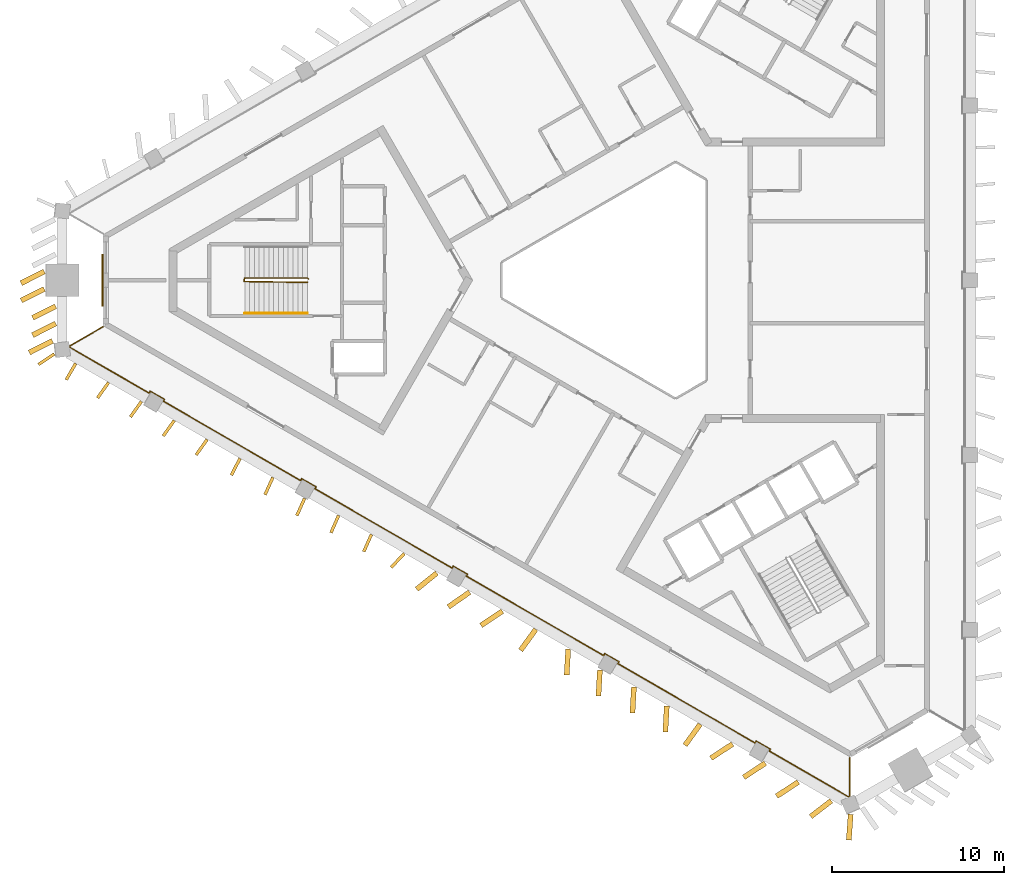
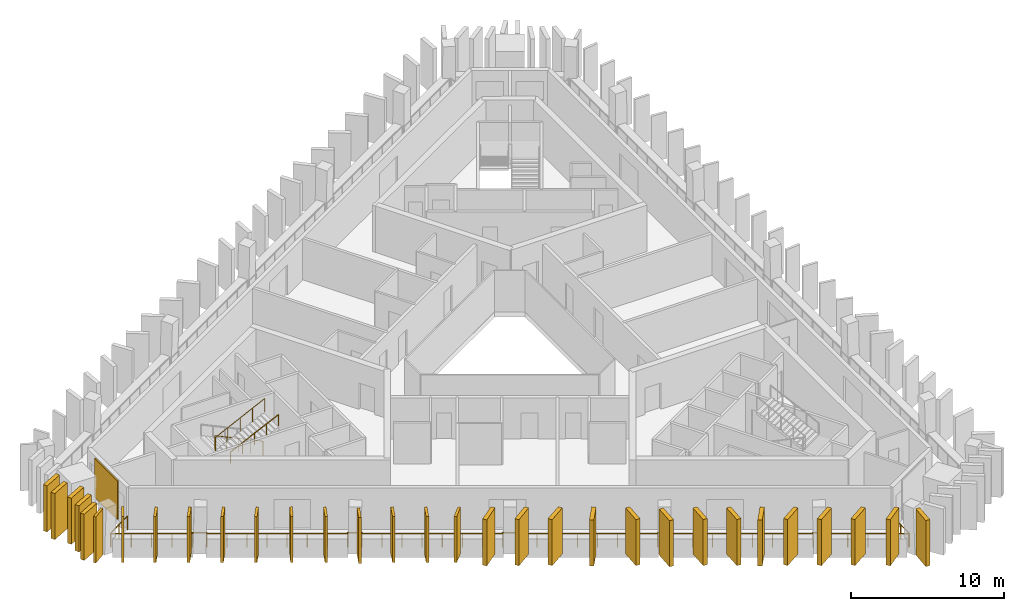
# One storey, part 7 of 9: 31 shading devices, 3 railings, 1 covering.
"""IFC4 building model written with IfcOpenShell, lengths in metres."""

import ifcopenshell
import ifcopenshell.guid

model = None  # the IFC model being written
_history = None  # IfcOwnerHistory: only IFC2X3 demands one
_inside = {}  # id of a spatial element -> (the spatial element, [elements in it])
_under = {}  # id of a project, library or spatial element -> (it, [spatial elements below it])
_declared = {}  # id of a project -> (the project, [libraries it declares])
_typed = {}  # id of a type object -> (the type object, [elements of that type])
_made_of = {}  # id of a material, layer set ... -> (it, [elements and type objects made of it])


def new_model(schema):
    """Start an empty IFC model of exactly this schema.

    Asked for "IFC4X3", IfcOpenShell would pick the latest addendum, in which some entities
    have other attributes; the version numbers below select the first issue.
    IFC2X3 requires an IfcOwnerHistory on every rooted entity: one is made here for all.
    """
    global model, _history
    if schema == "IFC4X3":
        model = ifcopenshell.file(schema_version=(4, 3, 0, 0))
    else:
        model = ifcopenshell.file(schema=schema)
    _inside.clear()
    _under.clear()
    _declared.clear()
    _typed.clear()
    _made_of.clear()
    _history = None
    if model.schema == "IFC2X3":
        org = make("IfcOrganization", Name="unknown")
        user = make(
            "IfcPersonAndOrganization",
            ThePerson=make("IfcPerson", FamilyName="unknown"),
            TheOrganization=org,
        )
        app = make(
            "IfcApplication",
            ApplicationDeveloper=org,
            Version="unknown",
            ApplicationFullName="unknown",
            ApplicationIdentifier="unknown",
        )
        _history = make(
            "IfcOwnerHistory",
            OwningUser=user,
            OwningApplication=app,
            ChangeAction="ADDED",
            CreationDate=0,
        )
    return model


def make(cls, **values):
    """One entity of the class cls with the attributes given. An attribute that is None is left unset."""
    return model.create_entity(
        cls, **{name: value for name, value in values.items() if value is not None}
    )


def rooted(cls, **values):
    """An entity with a GlobalId (a new one), such as an element, a storey or a relation."""
    return make(cls, GlobalId=ifcopenshell.guid.new(), OwnerHistory=_history, **values)


def si_unit(unit_type, name, prefix=None):
    """IfcSIUnit, for example si_unit("LENGTHUNIT", "METRE", prefix="MILLI")."""
    return make("IfcSIUnit", UnitType=unit_type, Prefix=prefix, Name=name)


def assignment(units):
    """IfcUnitAssignment: the units of a project."""
    return None if units is None else make("IfcUnitAssignment", Units=units)


def point(xyz):
    """IfcCartesianPoint."""
    return None if xyz is None else make("IfcCartesianPoint", Coordinates=xyz)


def direction(xyz):
    """IfcDirection."""
    return None if xyz is None else make("IfcDirection", DirectionRatios=xyz)


def frame(location, z_axis=None, x_axis=None):
    """IfcAxis2Placement3D, a coordinate frame: its origin and axes. An axis left out is left unset."""
    return make(
        "IfcAxis2Placement3D",
        Location=point(location),
        Axis=direction(z_axis),
        RefDirection=direction(x_axis),
    )


def frame_2d(location, x_axis=None):
    """IfcAxis2Placement2D, a coordinate frame in the plane: its origin and x axis."""
    return make(
        "IfcAxis2Placement2D", Location=point(location), RefDirection=direction(x_axis)
    )


def origin():
    """The frame at (0, 0, 0) with its axes left unset."""
    return frame((0.0, 0.0, 0.0))


def origin_2d():
    """The frame at (0, 0) in the plane with its x axis left unset."""
    return frame_2d((0.0, 0.0))


def place(relative_to, where):
    """IfcLocalPlacement: puts the frame where relative to a parent placement (None: the world)."""
    return make(
        "IfcLocalPlacement", PlacementRelTo=relative_to, RelativePlacement=where
    )


def context(
    kind, dimensions, precision=None, world=None, true_north=None, identifier=None
):
    """IfcGeometricRepresentationContext, for example the 3D "Model" context."""
    return make(
        "IfcGeometricRepresentationContext",
        ContextIdentifier=identifier,
        ContextType=kind,
        CoordinateSpaceDimension=dimensions,
        Precision=precision,
        WorldCoordinateSystem=world,
        TrueNorth=true_north,
    )


def subcontext(parent, identifier, kind, view, scale=None):
    """IfcGeometricRepresentationSubContext, for example "Body" below "Model"."""
    return make(
        "IfcGeometricRepresentationSubContext",
        ContextIdentifier=identifier,
        ContextType=kind,
        ParentContext=parent,
        TargetScale=scale,
        TargetView=view,
    )


def project(units=None, contexts=None):
    """IfcProject with its units and contexts."""
    return rooted(
        "IfcProject",
        Name="project",
        RepresentationContexts=contexts,
        UnitsInContext=assignment(units),
    )


def spatial(cls, under=None, at=None, **own):
    """A site, building, storey or space (cls), placed at a placement, below another one or the project."""
    s = rooted(cls, ObjectPlacement=at, **own)
    if under is not None:
        _under.setdefault(under.id(), (under, []))[1].append(s)
    return s


def profile(cls, at=None, kind="AREA", **sizes):
    """A parametric profile (cls). Its sizes go by their IFC names, for example OverallWidth=200.0."""
    return make(cls, ProfileType=kind, Position=at, **sizes)


def rectangle(**sizes):
    """IfcRectangleProfileDef."""
    return profile("IfcRectangleProfileDef", **sizes)


def circle(**sizes):
    """IfcCircleProfileDef."""
    return profile("IfcCircleProfileDef", **sizes)


def extrude(swept, where, along, depth):
    """IfcExtrudedAreaSolid: the profile swept, set in the frame where, extruded along a direction by depth."""
    return make(
        "IfcExtrudedAreaSolid",
        SweptArea=swept,
        Position=where,
        ExtrudedDirection=direction(along),
        Depth=depth,
    )


def shape(context_of_items, identifier, shape_type, items):
    """IfcShapeRepresentation: the items that make up one representation, for example the "Body"."""
    return make(
        "IfcShapeRepresentation",
        ContextOfItems=context_of_items,
        RepresentationIdentifier=identifier,
        RepresentationType=shape_type,
        Items=items,
    )


def material(Name=None, Category=None):
    """IfcMaterial."""
    return make("IfcMaterial", Name=Name, Category=Category)


def layer(
    of_material, thickness, ventilated=None, Name=None, Category=None, Priority=None
):
    """IfcMaterialLayer: one layer of a wall or slab, of a material (None: an air gap)."""
    return make(
        "IfcMaterialLayer",
        Material=of_material,
        LayerThickness=thickness,
        IsVentilated=ventilated,
        Name=Name,
        Category=Category,
        Priority=Priority,
    )


def layer_set(layers, Name=None):
    """IfcMaterialLayerSet."""
    return make("IfcMaterialLayerSet", MaterialLayers=layers, LayerSetName=Name)


def made_of(thing, what):
    """Note that an element or type object is made of a material, layer set ...; save() writes the relation."""
    if what is not None:
        _made_of.setdefault(what.id(), (what, []))[1].append(thing)
    return thing


def type_object(cls, material=None, **own):
    """A type object (cls), such as IfcWallType, which elements share."""
    return made_of(rooted(cls, **own), material)


def element(
    cls,
    number,
    at=None,
    inside=None,
    cuts=None,
    type_object=None,
    material=None,
    context=None,
    identifier="Body",
    shape_type=None,
    held_by="IfcProductDefinitionShape",
    body=None,
    shapes=None,
    **own,
):
    """One element of the class cls, such as IfcWall. Its Tag is "e" and its number.

    at: its placement. inside: the storey or other place that contains it. cuts: it is an
    opening in that element (IfcRelVoidsElement). A single representation is given by context,
    identifier, shape_type and body (its items); several are given by shapes. held_by: the class
    of the entity that holds the representations. save() writes the other relations.
    """
    e = rooted(cls, Tag="e%d" % number, ObjectPlacement=at, **own)
    if body is not None:
        shapes = [shape(context, identifier, shape_type, body)]
    if shapes is not None:
        e.Representation = make(held_by, Representations=shapes)
    if inside is not None:
        _inside.setdefault(inside.id(), (inside, []))[1].append(e)
    if cuts is not None:
        rooted(
            "IfcRelVoidsElement", RelatingBuildingElement=cuts, RelatedOpeningElement=e
        )
    if type_object is not None:
        _typed.setdefault(type_object.id(), (type_object, []))[1].append(e)
    return made_of(e, material)


def aggregate(whole, parts):
    """IfcRelAggregates: a whole, such as a stair, and the parts it consists of."""
    return rooted("IfcRelAggregates", RelatingObject=whole, RelatedObjects=parts)


def save(model, path):
    """Write the relations noted so far, then the file.

    IfcRelAggregates (storeys below a building ...), IfcRelContainedInSpatialStructure (elements
    in a storey), IfcRelDefinesByType, IfcRelAssociatesMaterial and IfcRelDeclares: one each for
    every whole, place, type object, material and project.
    """
    for whole, parts in _under.values():
        aggregate(whole, parts)
    for where, things in _inside.values():
        rooted(
            "IfcRelContainedInSpatialStructure",
            RelatedElements=things,
            RelatingStructure=where,
        )
    for kind, things in _typed.values():
        rooted("IfcRelDefinesByType", RelatedObjects=things, RelatingType=kind)
    for what, things in _made_of.values():
        rooted("IfcRelAssociatesMaterial", RelatedObjects=things, RelatingMaterial=what)
    for by, libraries in _declared.values():
        rooted("IfcRelDeclares", RelatingContext=by, RelatedDefinitions=libraries)
    model.write(path)


model = new_model("IFC4")

# Units and contexts
model_context = context("Model", 3, precision=1e-05, world=origin(), true_north=direction((0.0, 1.0)))
body_context = subcontext(model_context, "Body", "Model", "MODEL_VIEW")
ifc_project = project(units=[si_unit("LENGTHUNIT", "METRE"), si_unit("AREAUNIT", "SQUARE_METRE"), si_unit("VOLUMEUNIT", "CUBIC_METRE"), si_unit("PLANEANGLEUNIT", "RADIAN"), si_unit("MASSUNIT", "GRAM", prefix="KILO")], contexts=[model_context])

# Site, building, storey
site_placement = place(None, origin())
site = spatial("IfcSite", under=ifc_project, at=site_placement, CompositionType="ELEMENT")
building_placement = place(site_placement, origin())
building = spatial("IfcBuilding", under=site, at=building_placement, Name="Jabali Bay Hotel Tower and Convention Centre", CompositionType="ELEMENT")
storey_placement = place(building_placement, frame((0.0, 0.0, 235.39990234375)))
storey = spatial("IfcBuildingStorey", under=building, at=storey_placement, Name="L58", CompositionType="ELEMENT", Elevation=235.39990234375)

# Railing
ifc_material_1 = material(Name="Glass", Category="glass")
railing_type_1 = type_object("IfcRailingType", Name="Loggia glass guard 1100", PredefinedType="BALUSTRADE", material=ifc_material_1)
railing_1_placement = place(storey_placement, frame((87.882080078125, 52.2939453125, 0.0)))
element("IfcRailing", 1, at=railing_1_placement, inside=storey, type_object=railing_type_1, Name="Loggia glass guard L58", PredefinedType="BALUSTRADE", context=body_context, shape_type="SweptSolid", body=[
    extrude(circle(Radius=0.02490234375, at=origin_2d()), frame((0.0, 0.0, 1.0751953125), z_axis=(0.0, -1.0, 0.0), x_axis=(0.991444861374, 0.0, 0.13052619222)), (0.0, 0.0, 1.0), 2.247802734375),
    extrude(circle(Radius=0.02490234375, at=origin_2d()), frame((0.0, -2.247802734375, 1.0751953125), z_axis=(-0.921017487124, -0.389521229732, 0.0), x_axis=(0.386188821614, -0.913138054844, 0.13052619222)), (0.0, 0.0, 1.0), 0.067138671875),
    extrude(circle(Radius=0.02490234375, at=origin_2d()), frame((-0.061767578125, -2.27392578125, 1.0751953125), z_axis=(-0.866011294529, 0.500024437152, 0.0), x_axis=(-0.495746658775, -0.858602447852, 0.13052619222)), (0.0, 0.0, 1.0), 5.318603515625),
    extrude(circle(Radius=0.02490234375, at=origin_2d()), frame((-4.667724609375, 0.385498046875, 1.0751953125), z_axis=(0.500342721131, 0.865827443207, 0.0), x_axis=(-0.858420169404, 0.496062219791, 0.13052619222)), (0.0, 0.0, 1.0), 0.125),
    extrude(circle(Radius=0.02490234375, at=origin_2d()), frame((-4.605224609375, 0.49365234375, 1.0751953125), z_axis=(-0.865988727248, 0.500063520245, 0.0), x_axis=(-0.495785407507, -0.858580073638, 0.13052619222)), (0.0, 0.0, 1.0), 0.9501953125),
    extrude(circle(Radius=0.02490234375, at=origin_2d()), frame((-5.427978515625, 0.96875, 1.0751953125), z_axis=(-0.499497219344, -0.8663154898, 0.0), x_axis=(0.858904040691, -0.495223951389, 0.13052619222)), (0.0, 0.0, 1.0), 0.125244140625),
    extrude(circle(Radius=0.02490234375, at=origin_2d()), frame((-5.490478515625, 0.8603515625, 1.0751953125), z_axis=(-0.866021626938, 0.500006541634, 0.0), x_axis=(-0.495728916356, -0.858612691866, 0.13052619222)), (0.0, 0.0, 1.0), 9.19970703125),
    extrude(circle(Radius=0.02490234375, at=origin_2d()), frame((-13.45751953125, 5.460205078125, 1.0751953125), z_axis=(0.499497219344, 0.8663154898, 0.0), x_axis=(-0.858904040691, 0.495223951389, 0.13052619222)), (0.0, 0.0, 1.0), 0.125244140625),
    extrude(circle(Radius=0.02490234375, at=origin_2d()), frame((-13.39501953125, 5.568603515625, 1.0751953125), z_axis=(-0.866100000774, 0.49987077196, 0.0), x_axis=(-0.495594308211, -0.858690395203, 0.13052619222)), (0.0, 0.0, 1.0), 0.949951171875),
    extrude(circle(Radius=0.02490234375, at=origin_2d()), frame((-14.2177734375, 6.04345703125, 1.0751953125), z_axis=(-0.500342721131, -0.865827443207, 0.0), x_axis=(0.858420169404, -0.496062219791, 0.13052619222)), (0.0, 0.0, 1.0), 0.125),
    extrude(circle(Radius=0.02490234375, at=origin_2d()), frame((-14.2802734375, 5.935302734375, 1.0751953125), z_axis=(-0.866033118346, 0.499986637749, 0.0), x_axis=(-0.495709182751, -0.858624084964, 0.13052619222)), (0.0, 0.0, 1.0), 9.199462890625),
    extrude(circle(Radius=0.02490234375, at=origin_2d()), frame((-22.247314453125, 10.534912109375, 1.0751953125), z_axis=(0.499497219344, 0.8663154898, 0.0), x_axis=(-0.858904040691, 0.495223951389, 0.13052619222)), (0.0, 0.0, 1.0), 0.125244140625),
    extrude(circle(Radius=0.02490234375, at=origin_2d()), frame((-22.184814453125, 10.643310546875, 1.0751953125), z_axis=(-0.866100000774, 0.49987077196, 0.0), x_axis=(-0.495594308211, -0.858690395203, 0.13052619222)), (0.0, 0.0, 1.0), 0.949951171875),
    extrude(circle(Radius=0.02490234375, at=origin_2d()), frame((-23.007568359375, 11.1181640625, 1.0751953125), z_axis=(-0.500342721131, -0.865827443207, 0.0), x_axis=(0.858420169404, -0.496062219791, 0.13052619222)), (0.0, 0.0, 1.0), 0.125),
    extrude(circle(Radius=0.02490234375, at=origin_2d()), frame((-23.070068359375, 11.010009765625, 1.0751953125), z_axis=(-0.866021626938, 0.500006541634, 0.0), x_axis=(-0.495728916356, -0.858612691866, 0.13052619222)), (0.0, 0.0, 1.0), 9.19970703125),
    extrude(circle(Radius=0.02490234375, at=origin_2d()), frame((-31.037109375, 15.60986328125, 1.0751953125), z_axis=(0.500342721131, 0.865827443207, 0.0), x_axis=(-0.858420169404, 0.496062219791, 0.13052619222)), (0.0, 0.0, 1.0), 0.125),
    extrude(circle(Radius=0.02490234375, at=origin_2d()), frame((-30.974609375, 15.718017578125, 1.0751953125), z_axis=(-0.865988727248, 0.500063520245, 0.0), x_axis=(-0.495785407507, -0.858580073638, 0.13052619222)), (0.0, 0.0, 1.0), 0.9501953125),
    extrude(circle(Radius=0.02490234375, at=origin_2d()), frame((-31.79736328125, 16.193115234375, 1.0751953125), z_axis=(-0.499497219344, -0.8663154898, 0.0), x_axis=(0.858904040691, -0.495223951389, 0.13052619222)), (0.0, 0.0, 1.0), 0.125244140625),
    extrude(circle(Radius=0.02490234375, at=origin_2d()), frame((-31.85986328125, 16.084716796875, 1.0751953125), z_axis=(-0.866021626938, 0.500006541634, 0.0), x_axis=(-0.495728916356, -0.858612691866, 0.13052619222)), (0.0, 0.0, 1.0), 9.19970703125),
    extrude(circle(Radius=0.02490234375, at=origin_2d()), frame((-39.826904296875, 20.6845703125, 1.0751953125), z_axis=(0.500342721131, 0.865827443207, 0.0), x_axis=(-0.858420169404, 0.496062219791, 0.13052619222)), (0.0, 0.0, 1.0), 0.125),
    extrude(circle(Radius=0.02490234375, at=origin_2d()), frame((-39.764404296875, 20.792724609375, 1.0751953125), z_axis=(-0.865924446982, 0.500174821557, 0.0), x_axis=(-0.495895756621, -0.858516343298, 0.13052619222)), (0.0, 0.0, 1.0), 0.949951171875),
    extrude(circle(Radius=0.02490234375, at=origin_2d()), frame((-40.5869140625, 21.267822265625, 1.0751953125), z_axis=(-0.499497219344, -0.8663154898, 0.0), x_axis=(0.858904040691, -0.495223951389, 0.13052619222)), (0.0, 0.0, 1.0), 0.125244140625),
    extrude(circle(Radius=0.02490234375, at=origin_2d()), frame((-40.6494140625, 21.159423828125, 1.0751953125), z_axis=(-0.866022770786, 0.500004560459, 0.0), x_axis=(-0.49572695213, -0.858613825929, 0.13052619222)), (0.0, 0.0, 1.0), 5.31884765625),
    extrude(circle(Radius=0.02490234375, at=origin_2d()), frame((-45.255615234375, 23.81884765625, 1.0751953125), z_axis=(-0.123587346971, 0.992333697739, 0.0), x_axis=(-0.983844145392, -0.122530040085, 0.13052619222)), (0.0, 0.0, 1.0), 0.067138671875),
    extrude(circle(Radius=0.02490234375, at=origin_2d()), frame((-45.263916015625, 23.885498046875, 1.0751953125), z_axis=(0.86603545466, 0.499982590969, 0.0), x_axis=(-0.495705170593, 0.85862640129, 0.13052619222)), (0.0, 0.0, 1.0), 2.24755859375),
    extrude(circle(Radius=0.02001953125, at=origin_2d()), origin(), (0.0, 0.0, 1.0), 1.050048828125),
    extrude(circle(Radius=0.02001953125, at=origin_2d()), frame((0.0, -1.1240234375, 0.0)), (0.0, 0.0, 1.0), 1.050048828125),
    extrude(circle(Radius=0.02001953125, at=origin_2d()), frame((0.0, -2.247802734375, 0.0)), (0.0, 0.0, 1.0), 1.050048828125),
    extrude(circle(Radius=0.02001953125, at=origin_2d()), frame((-0.061767578125, -2.27392578125, 0.0)), (0.0, 0.0, 1.0), 1.050048828125),
    extrude(circle(Radius=0.02001953125, at=origin_2d()), frame((-1.21337890625, -1.609130859375, 0.0)), (0.0, 0.0, 1.0), 1.050048828125),
    extrude(circle(Radius=0.02001953125, at=origin_2d()), frame((-2.36474609375, -0.9443359375, 0.0)), (0.0, 0.0, 1.0), 1.050048828125),
    extrude(circle(Radius=0.02001953125, at=origin_2d()), frame((-3.51611328125, -0.279296875, 0.0)), (0.0, 0.0, 1.0), 1.050048828125),
    extrude(circle(Radius=0.02001953125, at=origin_2d()), frame((-4.667724609375, 0.385498046875, 0.0)), (0.0, 0.0, 1.0), 1.050048828125),
    extrude(circle(Radius=0.02001953125, at=origin_2d()), frame((-4.605224609375, 0.49365234375, 0.0)), (0.0, 0.0, 1.0), 1.050048828125),
    extrude(circle(Radius=0.02001953125, at=origin_2d()), frame((-5.427978515625, 0.96875, 0.0)), (0.0, 0.0, 1.0), 1.050048828125),
    extrude(circle(Radius=0.02001953125, at=origin_2d()), frame((-5.490478515625, 0.8603515625, 0.0)), (0.0, 0.0, 1.0), 1.050048828125),
    extrude(circle(Radius=0.02001953125, at=origin_2d()), frame((-6.628662109375, 1.517578125, 0.0)), (0.0, 0.0, 1.0), 1.050048828125),
    extrude(circle(Radius=0.02001953125, at=origin_2d()), frame((-7.766845703125, 2.174560546875, 0.0)), (0.0, 0.0, 1.0), 1.050048828125),
    extrude(circle(Radius=0.02001953125, at=origin_2d()), frame((-8.905029296875, 2.831787109375, 0.0)), (0.0, 0.0, 1.0), 1.050048828125),
    extrude(circle(Radius=0.02001953125, at=origin_2d()), frame((-10.04296875, 3.48876953125, 0.0)), (0.0, 0.0, 1.0), 1.050048828125),
    extrude(circle(Radius=0.02001953125, at=origin_2d()), frame((-11.18115234375, 4.14599609375, 0.0)), (0.0, 0.0, 1.0), 1.050048828125),
    extrude(circle(Radius=0.02001953125, at=origin_2d()), frame((-12.3193359375, 4.802978515625, 0.0)), (0.0, 0.0, 1.0), 1.050048828125),
    extrude(circle(Radius=0.02001953125, at=origin_2d()), frame((-13.45751953125, 5.460205078125, 0.0)), (0.0, 0.0, 1.0), 1.050048828125),
    extrude(circle(Radius=0.02001953125, at=origin_2d()), frame((-13.39501953125, 5.568603515625, 0.0)), (0.0, 0.0, 1.0), 1.050048828125),
    extrude(circle(Radius=0.02001953125, at=origin_2d()), frame((-14.2177734375, 6.04345703125, 0.0)), (0.0, 0.0, 1.0), 1.050048828125),
    extrude(circle(Radius=0.02001953125, at=origin_2d()), frame((-14.2802734375, 5.935302734375, 0.0)), (0.0, 0.0, 1.0), 1.050048828125),
    extrude(circle(Radius=0.02001953125, at=origin_2d()), frame((-15.41845703125, 6.59228515625, 0.0)), (0.0, 0.0, 1.0), 1.050048828125),
    extrude(circle(Radius=0.02001953125, at=origin_2d()), frame((-16.556640625, 7.24951171875, 0.0)), (0.0, 0.0, 1.0), 1.050048828125),
    extrude(circle(Radius=0.02001953125, at=origin_2d()), frame((-17.69482421875, 7.906494140625, 0.0)), (0.0, 0.0, 1.0), 1.050048828125),
    extrude(circle(Radius=0.02001953125, at=origin_2d()), frame((-18.832763671875, 8.563720703125, 0.0)), (0.0, 0.0, 1.0), 1.050048828125),
    extrude(circle(Radius=0.02001953125, at=origin_2d()), frame((-19.970947265625, 9.220703125, 0.0)), (0.0, 0.0, 1.0), 1.050048828125),
    extrude(circle(Radius=0.02001953125, at=origin_2d()), frame((-21.109130859375, 9.8779296875, 0.0)), (0.0, 0.0, 1.0), 1.050048828125),
    extrude(circle(Radius=0.02001953125, at=origin_2d()), frame((-22.247314453125, 10.534912109375, 0.0)), (0.0, 0.0, 1.0), 1.050048828125),
    extrude(circle(Radius=0.02001953125, at=origin_2d()), frame((-22.184814453125, 10.643310546875, 0.0)), (0.0, 0.0, 1.0), 1.050048828125),
    extrude(circle(Radius=0.02001953125, at=origin_2d()), frame((-23.007568359375, 11.1181640625, 0.0)), (0.0, 0.0, 1.0), 1.050048828125),
    extrude(circle(Radius=0.02001953125, at=origin_2d()), frame((-23.070068359375, 11.010009765625, 0.0)), (0.0, 0.0, 1.0), 1.050048828125),
    extrude(circle(Radius=0.02001953125, at=origin_2d()), frame((-24.208251953125, 11.667236328125, 0.0)), (0.0, 0.0, 1.0), 1.050048828125),
    extrude(circle(Radius=0.02001953125, at=origin_2d()), frame((-25.346435546875, 12.32421875, 0.0)), (0.0, 0.0, 1.0), 1.050048828125),
    extrude(circle(Radius=0.02001953125, at=origin_2d()), frame((-26.484619140625, 12.9814453125, 0.0)), (0.0, 0.0, 1.0), 1.050048828125),
    extrude(circle(Radius=0.02001953125, at=origin_2d()), frame((-27.62255859375, 13.638427734375, 0.0)), (0.0, 0.0, 1.0), 1.050048828125),
    extrude(circle(Radius=0.02001953125, at=origin_2d()), frame((-28.7607421875, 14.295654296875, 0.0)), (0.0, 0.0, 1.0), 1.050048828125),
    extrude(circle(Radius=0.02001953125, at=origin_2d()), frame((-29.89892578125, 14.95263671875, 0.0)), (0.0, 0.0, 1.0), 1.050048828125),
    extrude(circle(Radius=0.02001953125, at=origin_2d()), frame((-31.037109375, 15.60986328125, 0.0)), (0.0, 0.0, 1.0), 1.050048828125),
    extrude(circle(Radius=0.02001953125, at=origin_2d()), frame((-30.974609375, 15.718017578125, 0.0)), (0.0, 0.0, 1.0), 1.050048828125),
    extrude(circle(Radius=0.02001953125, at=origin_2d()), frame((-31.79736328125, 16.193115234375, 0.0)), (0.0, 0.0, 1.0), 1.050048828125),
    extrude(circle(Radius=0.02001953125, at=origin_2d()), frame((-31.85986328125, 16.084716796875, 0.0)), (0.0, 0.0, 1.0), 1.050048828125),
    extrude(circle(Radius=0.02001953125, at=origin_2d()), frame((-32.998046875, 16.741943359375, 0.0)), (0.0, 0.0, 1.0), 1.050048828125),
    extrude(circle(Radius=0.02001953125, at=origin_2d()), frame((-34.13623046875, 17.39892578125, 0.0)), (0.0, 0.0, 1.0), 1.050048828125),
    extrude(circle(Radius=0.02001953125, at=origin_2d()), frame((-35.2744140625, 18.05615234375, 0.0)), (0.0, 0.0, 1.0), 1.050048828125),
    extrude(circle(Radius=0.02001953125, at=origin_2d()), frame((-36.412353515625, 18.713134765625, 0.0)), (0.0, 0.0, 1.0), 1.050048828125),
    extrude(circle(Radius=0.02001953125, at=origin_2d()), frame((-37.550537109375, 19.370361328125, 0.0)), (0.0, 0.0, 1.0), 1.050048828125),
    extrude(circle(Radius=0.02001953125, at=origin_2d()), frame((-38.688720703125, 20.02734375, 0.0)), (0.0, 0.0, 1.0), 1.050048828125),
    extrude(circle(Radius=0.02001953125, at=origin_2d()), frame((-39.826904296875, 20.6845703125, 0.0)), (0.0, 0.0, 1.0), 1.050048828125),
    extrude(circle(Radius=0.02001953125, at=origin_2d()), frame((-39.764404296875, 20.792724609375, 0.0)), (0.0, 0.0, 1.0), 1.050048828125),
    extrude(circle(Radius=0.02001953125, at=origin_2d()), frame((-40.5869140625, 21.267822265625, 0.0)), (0.0, 0.0, 1.0), 1.050048828125),
    extrude(circle(Radius=0.02001953125, at=origin_2d()), frame((-40.6494140625, 21.159423828125, 0.0)), (0.0, 0.0, 1.0), 1.050048828125),
    extrude(circle(Radius=0.02001953125, at=origin_2d()), frame((-41.801025390625, 21.82421875, 0.0)), (0.0, 0.0, 1.0), 1.050048828125),
    extrude(circle(Radius=0.02001953125, at=origin_2d()), frame((-42.95263671875, 22.4892578125, 0.0)), (0.0, 0.0, 1.0), 1.050048828125),
    extrude(circle(Radius=0.02001953125, at=origin_2d()), frame((-44.10400390625, 23.154052734375, 0.0)), (0.0, 0.0, 1.0), 1.050048828125),
    extrude(circle(Radius=0.02001953125, at=origin_2d()), frame((-45.255615234375, 23.81884765625, 0.0)), (0.0, 0.0, 1.0), 1.050048828125),
    extrude(circle(Radius=0.02001953125, at=origin_2d()), frame((-45.263916015625, 23.885498046875, 0.0)), (0.0, 0.0, 1.0), 1.050048828125),
    extrude(circle(Radius=0.02001953125, at=origin_2d()), frame((-44.29052734375, 24.447265625, 0.0)), (0.0, 0.0, 1.0), 1.050048828125),
    extrude(circle(Radius=0.02001953125, at=origin_2d()), frame((-43.3173828125, 25.00927734375, 0.0)), (0.0, 0.0, 1.0), 1.050048828125),
])

# Shading devices
ifc_material_2 = material(Name="Precast concrete C60", Category="concrete")
ifc_layer_1 = layer(ifc_material_2, 0.179931640625)
ifc_layer_set_1 = layer_set([ifc_layer_1], Name="Precast concrete C60")
shading_device_type_1 = type_object("IfcShadingDeviceType", Name="Precast fin 3680 x 1100", PredefinedType="USERDEFINED", material=ifc_layer_set_1)
for number, where, z_axis, x_axis, name in (
    (2, (42.971923828125, 75.17138671875, 0.010009765625), (0.0, 0.0, 1.0), (-0.50243530011, -0.86461480973, 0.0), "Fin L58 064"),
    (3, (44.874755859375, 74.063232421875, 0.010009765625), (0.0, 0.0, 1.0), (-0.57898978709, -0.815334794085, 0.0), "Fin L58 065"),
):
    element("IfcShadingDevice", number, at=place(storey_placement, frame(where, z_axis=z_axis, x_axis=x_axis)), inside=storey, type_object=shading_device_type_1, Name=name, ObjectType="FIN", PredefinedType="USERDEFINED", context=body_context, shape_type="SweptSolid", body=[
        extrude(rectangle(XDim=1.10009765625, YDim=0.179931640625, at=frame_2d((0.550048828125, 0.0))), origin(), (0.0, 0.0, 1.0), 3.68017578125),
    ])
shading_device_1_placement = place(storey_placement, frame((46.78173828125, 72.962158203125, 0.010009765625), z_axis=(0.0, 0.0, 1.0), x_axis=(-0.579094563248, -0.815260379766, 0.0)))
element("IfcShadingDevice", 4, at=shading_device_1_placement, inside=storey, type_object=shading_device_type_1, Name="Fin L58 066", ObjectType="FIN", PredefinedType="USERDEFINED", context=body_context, shape_type="SweptSolid", body=[
    extrude(rectangle(XDim=1.099853515625, YDim=0.179931640625, at=frame_2d((0.5498046875, 0.0))), origin(), (0.0, 0.0, 1.0), 3.68017578125),
])
for number, where, z_axis, x_axis, name in (
    (5, (48.688720703125, 71.861328125, 0.010009765625), (0.0, 0.0, 1.0), (-0.57898978709, -0.815334794085, 0.0), "Fin L58 067"),
    (6, (50.595703125, 70.76025390625, 0.010009765625), (0.0, 0.0, 1.0), (-0.579242060642, -0.815155589555, 0.0), "Fin L58 068"),
    (7, (52.5048828125, 69.6630859375, 0.010009765625), (0.0, 0.0, 1.0), (-0.460038603151, -0.887898915199, 0.0), "Fin L58 069"),
):
    element("IfcShadingDevice", number, at=place(storey_placement, frame(where, z_axis=z_axis, x_axis=x_axis)), inside=storey, type_object=shading_device_type_1, Name=name, ObjectType="FIN", PredefinedType="USERDEFINED", context=body_context, shape_type="SweptSolid", body=[
        extrude(rectangle(XDim=1.10009765625, YDim=0.179931640625, at=frame_2d((0.550048828125, 0.0))), origin(), (0.0, 0.0, 1.0), 3.68017578125),
    ])
shading_device_2_placement = place(storey_placement, frame((54.409423828125, 68.55810546875, 0.010009765625), z_axis=(0.0, 0.0, 1.0), x_axis=(-0.414605457481, -0.910001271772, 0.0)))
element("IfcShadingDevice", 8, at=shading_device_2_placement, inside=storey, type_object=shading_device_type_1, Name="Fin L58 070", ObjectType="FIN", PredefinedType="USERDEFINED", context=body_context, shape_type="SweptSolid", body=[
    extrude(rectangle(XDim=1.099853515625, YDim=0.179931640625, at=frame_2d((0.5498046875, 0.0))), origin(), (0.0, 0.0, 1.0), 3.68017578125),
])
shading_device_3_placement = place(storey_placement, frame((56.25, 67.342041015625, 0.010009765625), z_axis=(0.0, 0.0, 1.0), x_axis=(-0.411259632718, -0.911518246936, 0.0)))
element("IfcShadingDevice", 9, at=shading_device_3_placement, inside=storey, type_object=shading_device_type_1, Name="Fin L58 071", ObjectType="FIN", PredefinedType="USERDEFINED", context=body_context, shape_type="SweptSolid", body=[
    extrude(rectangle(XDim=1.10009765625, YDim=0.179931640625, at=frame_2d((0.550048828125, 0.0))), origin(), (0.0, 0.0, 1.0), 3.68017578125),
])
shading_device_4_placement = place(storey_placement, frame((58.22265625, 66.35498046875, 0.010009765625), z_axis=(0.0, 0.0, 1.0), x_axis=(-0.400178351771, -0.916437279236, 0.0)))
element("IfcShadingDevice", 10, at=shading_device_4_placement, inside=storey, type_object=shading_device_type_1, Name="Fin L58 072", ObjectType="FIN", PredefinedType="USERDEFINED", context=body_context, shape_type="SweptSolid", body=[
    extrude(rectangle(XDim=1.099853515625, YDim=0.179931640625, at=frame_2d((0.5498046875, 0.0))), origin(), (0.0, 0.0, 1.0), 3.68017578125),
])
for number, where, z_axis, x_axis, name in (
    (11, (60.130126953125, 65.25439453125, 0.010009765625), (0.0, 0.0, 1.0), (-0.407270764725, -0.91330746422, 0.0), "Fin L58 073"),
    (12, (62.031494140625, 64.143798828125, 0.010009765625), (0.0, 0.0, 1.0), (-0.685364699005, -0.728199992693, 0.0), "Fin L58 074"),
    (13, (41.726806640625, 75.722412109375, 0.010009765625), (0.0, 0.0, 1.0), (-0.829583793596, -0.558382243094, 0.0), "Fin L58 100"),
):
    element("IfcShadingDevice", number, at=place(storey_placement, frame(where, z_axis=z_axis, x_axis=x_axis)), inside=storey, type_object=shading_device_type_1, Name=name, ObjectType="FIN", PredefinedType="USERDEFINED", context=body_context, shape_type="SweptSolid", body=[
        extrude(rectangle(XDim=1.10009765625, YDim=0.179931640625, at=frame_2d((0.550048828125, 0.0))), origin(), (0.0, 0.0, 1.0), 3.68017578125),
    ])
ifc_layer_2 = layer(ifc_material_2, 0.300048828125)
ifc_layer_set_2 = layer_set([ifc_layer_2], Name="Precast concrete C60")
shading_device_type_2 = type_object("IfcShadingDeviceType", Name="Precast fin 3680 x 1500", PredefinedType="USERDEFINED", material=ifc_layer_set_2)
for number, where, z_axis, x_axis, name in (
    (14, (41.14794921875, 80.503173828125, 0.010009765625), (0.0, 0.0, 1.0), (-0.893186849307, -0.449685726063, 0.0), "Fin L58 059"),
    (15, (41.14794921875, 79.496826171875, 0.010009765625), (0.0, 0.0, 1.0), (-0.893252214826, -0.449555870508, 0.0), "Fin L58 060"),
    (16, (41.810546875, 78.49072265625, 0.010009765625), (0.0, 0.0, 1.0), (-0.893186849307, -0.449685726063, 0.0), "Fin L58 061"),
    (17, (41.810546875, 77.484619140625, 0.010009765625), (0.0, 0.0, 1.0), (-0.893186849307, -0.449685726063, 0.0), "Fin L58 062"),
):
    element("IfcShadingDevice", number, at=place(storey_placement, frame(where, z_axis=z_axis, x_axis=x_axis)), inside=storey, type_object=shading_device_type_2, Name=name, ObjectType="FIN", PredefinedType="USERDEFINED", context=body_context, shape_type="SweptSolid", body=[
        extrude(rectangle(XDim=1.5, YDim=0.300048828125, at=frame_2d((0.75, 0.0))), origin(), (0.0, 0.0, 1.0), 3.68017578125),
    ])
shading_device_5_placement = place(storey_placement, frame((41.6240234375, 76.478271484375, 0.010009765625), z_axis=(0.0, 0.0, 1.0), x_axis=(-0.893219312844, -0.449621239671, 0.0)))
element("IfcShadingDevice", 18, at=shading_device_5_placement, inside=storey, type_object=shading_device_type_2, Name="Fin L58 063", ObjectType="FIN", PredefinedType="USERDEFINED", context=body_context, shape_type="SweptSolid", body=[
    extrude(rectangle(XDim=1.499755859375, YDim=0.300048828125, at=frame_2d((0.75, 0.0))), origin(), (0.0, 0.0, 1.0), 3.68017578125),
])
shading_device_6_placement = place(storey_placement, frame((63.921630859375, 63.013671875, 0.010009765625), z_axis=(0.0, 0.0, 1.0), x_axis=(-0.778943817294, -0.62709371668, 0.0)))
element("IfcShadingDevice", 19, at=shading_device_6_placement, inside=storey, type_object=shading_device_type_2, Name="Fin L58 075", ObjectType="FIN", PredefinedType="USERDEFINED", context=body_context, shape_type="SweptSolid", body=[
    extrude(rectangle(XDim=1.5, YDim=0.300048828125, at=frame_2d((0.75, 0.0))), origin(), (0.0, 0.0, 1.0), 3.68017578125),
])
shading_device_7_placement = place(storey_placement, frame((65.82373046875, 61.904296875, 0.010009765625), z_axis=(0.0, 0.0, 1.0), x_axis=(-0.820712727899, -0.571341069997, 0.0)))
element("IfcShadingDevice", 20, at=shading_device_7_placement, inside=storey, type_object=shading_device_type_2, Name="Fin L58 076", ObjectType="FIN", PredefinedType="USERDEFINED", context=body_context, shape_type="SweptSolid", body=[
    extrude(rectangle(XDim=1.499755859375, YDim=0.300048828125, at=frame_2d((0.75, 0.0))), origin(), (0.0, 0.0, 1.0), 3.68017578125),
])
shading_device_8_placement = place(storey_placement, frame((67.7294921875, 60.801025390625, 0.010009765625), z_axis=(0.0, 0.0, 1.0), x_axis=(-0.832500730651, -0.554023946654, 0.0)))
element("IfcShadingDevice", 21, at=shading_device_8_placement, inside=storey, type_object=shading_device_type_2, Name="Fin L58 077", ObjectType="FIN", PredefinedType="USERDEFINED", context=body_context, shape_type="SweptSolid", body=[
    extrude(rectangle(XDim=1.5, YDim=0.300048828125, at=frame_2d((0.75, 0.0))), origin(), (0.0, 0.0, 1.0), 3.68017578125),
])
for number, where, z_axis, x_axis, name in (
    (22, (69.661865234375, 59.744140625, 0.010009765625), (0.0, 0.0, 1.0), (-0.586660773855, -0.809832782999, 0.0), "Fin L58 078"),
    (23, (71.54296875, 58.59814453125, 0.010009765625), (0.0, 0.0, 1.0), (-0.057624615315, -0.998338321267, 0.0), "Fin L58 079"),
):
    element("IfcShadingDevice", number, at=place(storey_placement, frame(where, z_axis=z_axis, x_axis=x_axis)), inside=storey, type_object=shading_device_type_2, Name=name, ObjectType="FIN", PredefinedType="USERDEFINED", context=body_context, shape_type="SweptSolid", body=[
        extrude(rectangle(XDim=1.499755859375, YDim=0.300048828125, at=frame_2d((0.75, 0.0))), origin(), (0.0, 0.0, 1.0), 3.68017578125),
    ])
for number, where, z_axis, x_axis, name in (
    (24, (73.383544921875, 57.382568359375, 0.010009765625), (0.0, 0.0, 1.0), (-0.057290813732, -0.998357532481, 0.0), "Fin L58 080"),
    (25, (75.35693359375, 56.396240234375, 0.010009765625), (0.0, 0.0, 1.0), (-0.057290813732, -0.998357532481, 0.0), "Fin L58 081"),
    (26, (77.263916015625, 55.295166015625, 0.010009765625), (0.0, 0.0, 1.0), (-0.057290813732, -0.998357532481, 0.0), "Fin L58 082"),
):
    element("IfcShadingDevice", number, at=place(storey_placement, frame(where, z_axis=z_axis, x_axis=x_axis)), inside=storey, type_object=shading_device_type_2, Name=name, ObjectType="FIN", PredefinedType="USERDEFINED", context=body_context, shape_type="SweptSolid", body=[
        extrude(rectangle(XDim=1.5, YDim=0.300048828125, at=frame_2d((0.75, 0.0))), origin(), (0.0, 0.0, 1.0), 3.68017578125),
    ])
shading_device_9_placement = place(storey_placement, frame((79.197021484375, 54.23974609375, 0.010009765625), z_axis=(0.0, 0.0, 1.0), x_axis=(-0.584236129503, -0.811583726416, 0.0)))
element("IfcShadingDevice", 27, at=shading_device_9_placement, inside=storey, type_object=shading_device_type_2, Name="Fin L58 083", ObjectType="FIN", PredefinedType="USERDEFINED", context=body_context, shape_type="SweptSolid", body=[
    extrude(rectangle(XDim=1.500244140625, YDim=0.300048828125, at=frame_2d((0.75, 0.0))), origin(), (0.0, 0.0, 1.0), 3.68017578125),
])
shading_device_10_placement = place(storey_placement, frame((81.077880859375, 53.09326171875, 0.010009765625), z_axis=(0.0, 0.0, 1.0), x_axis=(-0.836059575503, -0.548638666346, 0.0)))
element("IfcShadingDevice", 28, at=shading_device_10_placement, inside=storey, type_object=shading_device_type_2, Name="Fin L58 084", ObjectType="FIN", PredefinedType="USERDEFINED", context=body_context, shape_type="SweptSolid", body=[
    extrude(rectangle(XDim=1.5, YDim=0.300048828125, at=frame_2d((0.75, 0.0))), origin(), (0.0, 0.0, 1.0), 3.68017578125),
])
shading_device_11_placement = place(storey_placement, frame((82.979248046875, 51.982666015625, 0.010009765625), z_axis=(0.0, 0.0, 1.0), x_axis=(-0.835984920737, -0.548752414391, 0.0)))
element("IfcShadingDevice", 29, at=shading_device_11_placement, inside=storey, type_object=shading_device_type_2, Name="Fin L58 085", ObjectType="FIN", PredefinedType="USERDEFINED", context=body_context, shape_type="SweptSolid", body=[
    extrude(rectangle(XDim=1.500244140625, YDim=0.300048828125, at=frame_2d((0.75, 0.0))), origin(), (0.0, 0.0, 1.0), 3.68017578125),
])
for number, where, z_axis, x_axis, name in (
    (30, (84.8916015625, 50.891357421875, 0.010009765625), (0.0, 0.0, 1.0), (-0.83593590558, -0.548827078196, 0.0), "Fin L58 086"),
    (31, (86.8037109375, 49.799072265625, 0.010009765625), (0.0, 0.0, 1.0), (-0.793131962149, -0.609049826054, 0.0), "Fin L58 087"),
    (32, (87.93212890625, 49.015625, 0.010009765625), (0.0, 0.0, 1.0), (-0.072912463799, -0.997338344105, 0.0), "Fin L58 101"),
):
    element("IfcShadingDevice", number, at=place(storey_placement, frame(where, z_axis=z_axis, x_axis=x_axis)), inside=storey, type_object=shading_device_type_2, Name=name, ObjectType="FIN", PredefinedType="USERDEFINED", context=body_context, shape_type="SweptSolid", body=[
        extrude(rectangle(XDim=1.5, YDim=0.300048828125, at=frame_2d((0.75, 0.0))), origin(), (0.0, 0.0, 1.0), 3.68017578125),
    ])

# Covering
ifc_material_3 = material(Name="Precast concrete C40/50", Category="concrete")
ifc_layer_3 = layer(ifc_material_3, 0.080078125)
ifc_layer_set_3 = layer_set([ifc_layer_3], Name="Precast concrete C40/50")
covering_type = type_object("IfcCoveringType", Name="Relief panel 3000 x 3100", PredefinedType="CLADDING", material=ifc_layer_set_3)
covering_placement = place(storey_placement, frame((44.524658203125, 80.0, 0.10009765625), z_axis=(0.0, 0.0, 1.0), x_axis=(0.0, 1.0, 0.0)))
element("IfcCovering", 33, at=covering_placement, inside=storey, type_object=covering_type, Name="Relief panel L58", PredefinedType="CLADDING", context=body_context, shape_type="SweptSolid", body=[
    extrude(rectangle(XDim=3.0, YDim=0.080078125, at=origin_2d()), origin(), (0.0, 0.0, 1.0), 3.10009765625),
])

# Railings
ifc_material_4 = material(Name="Steel Q355B", Category="steel")
railing_type_2 = type_object("IfcRailingType", Name="Stair guard 1100", PredefinedType="GUARDRAIL", material=ifc_material_4)
railing_2_placement = place(storey_placement, frame((56.469970703125, 80.074951171875, 0.0)))
element("IfcRailing", 34, at=railing_2_placement, inside=storey, type_object=railing_type_2, Name="L58 ST1 stair guard 1", PredefinedType="GUARDRAIL", context=body_context, shape_type="SweptSolid", body=[
    extrude(circle(Radius=0.02392578125, at=origin_2d()), frame((0.0, 0.0, 1.076171875), z_axis=(-0.333514590198, 0.333514590198, 0.881780038474), x_axis=(-0.707106781187, -0.707106781187, 0.0)), (0.0, 0.0, 1.0), 0.150146484375),
    extrude(circle(Radius=0.02392578125, at=origin_2d()), frame((-0.050048828125, 0.050048828125, 1.20849609375), z_axis=(-0.904350763662, 0.0, 0.426789990819), x_axis=(0.0, -1.0, 0.0)), (0.0, 0.0, 1.0), 4.02490234375),
    extrude(circle(Radius=0.02392578125, at=origin_2d()), frame((-3.68994140625, 0.050048828125, 2.92626953125), z_axis=(-0.242814311512, -0.970072785993, 0.0), x_axis=(0.970072785993, -0.242814311512, 0.0)), (0.0, 0.0, 1.0), 0.2060546875),
    extrude(circle(Radius=0.02392578125, at=origin_2d()), frame((-3.739990234375, -0.14990234375, 2.92626953125), z_axis=(0.893864111827, -0.012124000458, 0.448174026692), x_axis=(0.013562335953, 0.999908027292, 0.0)), (0.0, 0.0, 1.0), 4.128173828125),
    extrude(circle(Radius=0.02099609375, at=origin_2d()), origin(), (0.0, 0.0, 1.0), 1.052001953125),
    extrude(circle(Radius=0.02099609375, at=origin_2d()), frame((-0.050048828125, 0.050048828125, 0.13232421875)), (0.0, 0.0, 1.0), 1.052001953125),
    extrude(circle(Radius=0.02099609375, at=origin_2d()), frame((-0.9599609375, 0.050048828125, 0.561767578125)), (0.0, 0.0, 1.0), 1.052001953125),
    extrude(circle(Radius=0.02099609375, at=origin_2d()), frame((-1.8701171875, 0.050048828125, 0.9912109375)), (0.0, 0.0, 1.0), 1.052001953125),
    extrude(circle(Radius=0.02099609375, at=origin_2d()), frame((-2.780029296875, 0.050048828125, 1.420654296875)), (0.0, 0.0, 1.0), 1.052001953125),
    extrude(circle(Radius=0.02099609375, at=origin_2d()), frame((-3.68994140625, 0.050048828125, 1.85009765625)), (0.0, 0.0, 1.0), 1.052001953125),
    extrude(circle(Radius=0.02099609375, at=origin_2d()), frame((-3.739990234375, -0.14990234375, 1.85009765625)), (0.0, 0.0, 1.0), 1.052001953125),
    extrude(circle(Radius=0.02099609375, at=origin_2d()), frame((-2.8173828125, -0.162353515625, 2.3125)), (0.0, 0.0, 1.0), 1.052001953125),
    extrude(circle(Radius=0.02099609375, at=origin_2d()), frame((-1.89501953125, -0.1748046875, 2.775146484375)), (0.0, 0.0, 1.0), 1.052001953125),
    extrude(circle(Radius=0.02099609375, at=origin_2d()), frame((-0.97265625, -0.1875, 3.23779296875)), (0.0, 0.0, 1.0), 1.052001953125),
    extrude(circle(Radius=0.02099609375, at=origin_2d()), frame((-0.050048828125, -0.199951171875, 3.7001953125)), (0.0, 0.0, 1.0), 1.052001953125),
])
railing_type_3 = type_object("IfcRailingType", Name="Stair handrail 900", PredefinedType="HANDRAIL", material=ifc_material_4)
railing_3_placement = place(storey_placement, frame((52.780029296875, 78.074951171875, 1.982177734375)))
element("IfcRailing", 35, at=railing_3_placement, inside=storey, type_object=railing_type_3, Name="L58 ST1 stair handrail 2", PredefinedType="HANDRAIL", context=body_context, shape_type="SweptSolid", body=[
    extrude(circle(Radius=0.02392578125, at=origin_2d()), frame((0.0, 0.0, 0.8759765625), z_axis=(0.904327350853, 0.0, 0.426839598092), x_axis=(0.0, 1.0, 0.0)), (0.0, 0.0, 1.0), 4.02490234375),
    extrude(circle(Radius=0.02099609375, at=origin_2d()), origin(), (0.0, 0.0, 1.0), 0.851806640625),
    extrude(circle(Radius=0.02099609375, at=origin_2d()), frame((0.909912109375, 0.0, 0.429443359375)), (0.0, 0.0, 1.0), 0.851806640625),
    extrude(circle(Radius=0.02099609375, at=origin_2d()), frame((1.81982421875, 0.0, 0.85888671875)), (0.0, 0.0, 1.0), 0.851806640625),
    extrude(circle(Radius=0.02099609375, at=origin_2d()), frame((2.72998046875, 0.0, 1.28857421875)), (0.0, 0.0, 1.0), 0.851806640625),
    extrude(circle(Radius=0.02099609375, at=origin_2d()), frame((3.639892578125, 0.0, 1.718017578125)), (0.0, 0.0, 1.0), 0.851806640625),
])

save(model, "model.ifc")
